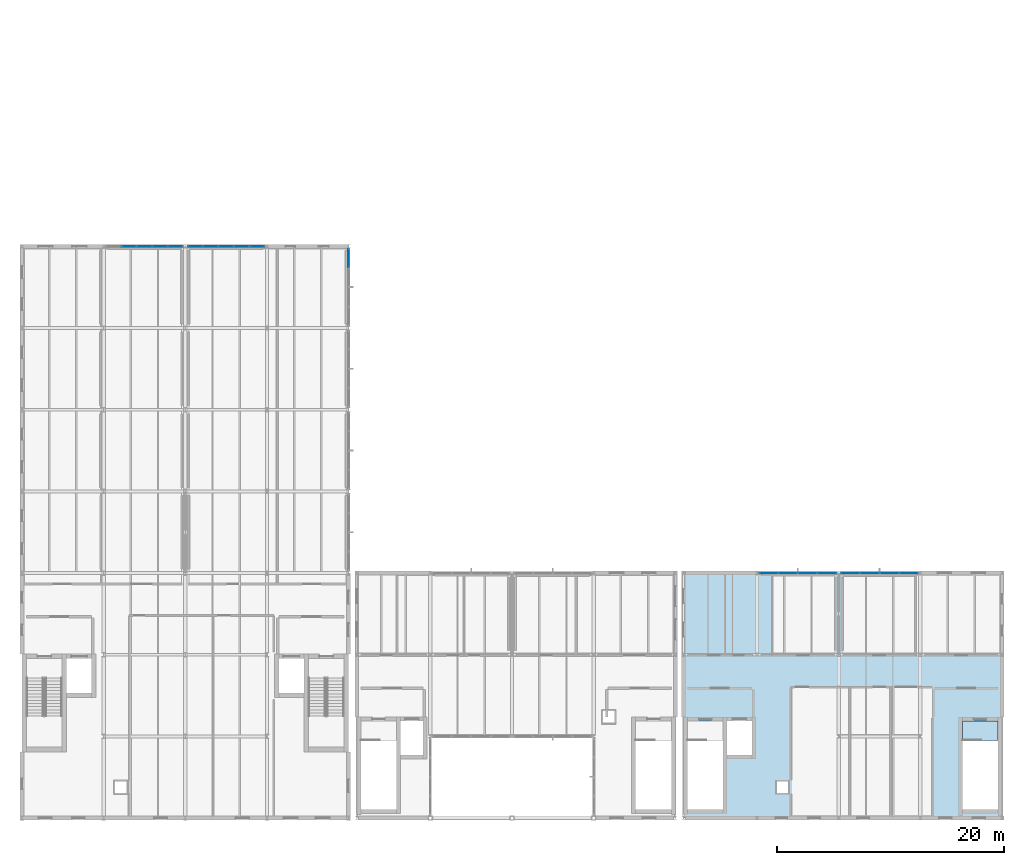
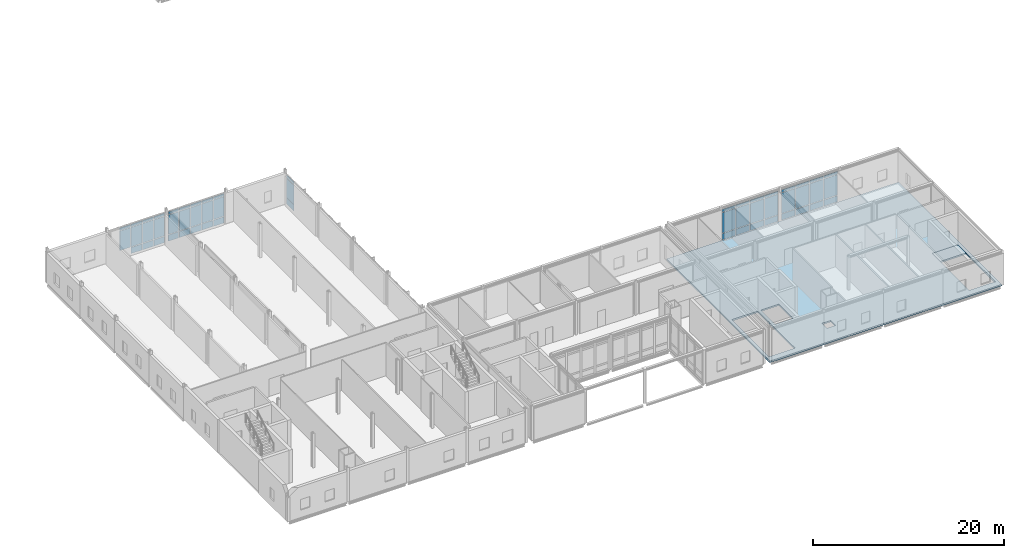
# One storey, part 23 of 43: 53 plates, 2 slabs, 5 elements without a shape of their own.
"""IFC4 building model written with IfcOpenShell, lengths in metres."""

from ifc_helpers import new_model, si_unit, direction, frame, origin, origin_2d, place, context, subcontext, project, spatial, polyline, rectangle, outline, extrude, material, layer, layer_set, type_object, element, aggregate, save


model = new_model("IFC4")

# Units and contexts
model_context = context("Model", 3, precision=1e-05, world=origin(), true_north=direction((0.0, 1.0)))
body_context = subcontext(model_context, "Body", "Model", "MODEL_VIEW")
ifc_project = project(units=[si_unit("LENGTHUNIT", "METRE"), si_unit("AREAUNIT", "SQUARE_METRE"), si_unit("VOLUMEUNIT", "CUBIC_METRE"), si_unit("PLANEANGLEUNIT", "RADIAN"), si_unit("MASSUNIT", "GRAM", prefix="KILO")], contexts=[model_context])

# Site, building, storey
site_placement = place(None, origin())
site = spatial("IfcSite", under=ifc_project, at=site_placement, CompositionType="ELEMENT")
building_placement = place(site_placement, origin())
building = spatial("IfcBuilding", under=site, at=building_placement, Name="Zarrinpeak Specialist Clinic", CompositionType="ELEMENT")
storey_placement = place(building_placement, frame((0.0, 0.0, 18.39990234375)))
storey = spatial("IfcBuildingStorey", under=building, at=storey_placement, Name="L04", CompositionType="ELEMENT", Elevation=18.39990234375)

# Curtain wall, plates
ifc_material_1 = material(Name="Anodised Aluminium Alloy 6063-T6", Category="aluminium")
ifc_layer_1 = layer(ifc_material_1, 0.1650390625)
ifc_layer_set_1 = layer_set([ifc_layer_1], Name="Anodised Aluminium Alloy 6063-T6")
curtain_wall_type_1 = type_object("IfcCurtainWallType", Name="CW-CLINIC", PredefinedType="NOTDEFINED", material=ifc_layer_set_1)
curtain_wall_1_placement = place(storey_placement, origin())
curtain_wall_1 = element("IfcCurtainWall", 1, at=curtain_wall_1_placement, inside=storey, type_object=curtain_wall_type_1, Name="L04 V1 Unitised Curtain Wall CW-L04-V1-025", PredefinedType="NOTDEFINED")
ifc_material_2 = material(Name="Double Low-E Insulated Glazing", Category="glass")
ifc_layer_2 = layer(ifc_material_2, 0.028076171875)
ifc_layer_set_2 = layer_set([ifc_layer_2], Name="Double Low-E Insulated Glazing")
plate_type_1 = type_object("IfcPlateType", Name="CWP-GLZ28", PredefinedType="CURTAIN_PANEL", material=ifc_layer_set_2)
plate_1_placement = place(storey_placement, frame((13.529296875, 50.39990234375, 0.074951171875), z_axis=(0.0, 0.0, 1.0), x_axis=(-1.0, 0.0, 0.0)))
plate_1 = element("IfcPlate", 2, at=plate_1_placement, type_object=plate_type_1, Name="CW-03 panel 1.1", PredefinedType="CURTAIN_PANEL", context=body_context, shape_type="SweptSolid", body=[
    extrude(rectangle(XDim=1.261474609375, YDim=0.028076171875, at=origin_2d()), origin(), (0.0, 0.0, 1.0), 0.78759765625),
])
plate_2_placement = place(storey_placement, frame((13.529296875, 50.39990234375, 0.9375), z_axis=(0.0, 0.0, 1.0), x_axis=(-1.0, 0.0, 0.0)))
plate_2 = element("IfcPlate", 3, at=plate_2_placement, type_object=plate_type_1, Name="CW-03 panel 1.2", PredefinedType="CURTAIN_PANEL", context=body_context, shape_type="SweptSolid", body=[
    extrude(rectangle(XDim=1.261474609375, YDim=0.028076171875, at=origin_2d()), origin(), (0.0, 0.0, 1.0), 2.489990234375),
])
plate_3_placement = place(storey_placement, frame((13.529296875, 50.39990234375, 3.502685546875), z_axis=(0.0, 0.0, 1.0), x_axis=(-1.0, 0.0, 0.0)))
plate_3 = element("IfcPlate", 4, at=plate_3_placement, type_object=plate_type_1, Name="CW-03 panel 1.3", PredefinedType="CURTAIN_PANEL", context=body_context, shape_type="SweptSolid", body=[
    extrude(rectangle(XDim=1.261474609375, YDim=0.028076171875, at=origin_2d()), origin(), (0.0, 0.0, 1.0), 0.33740234375),
])
plate_4_placement = place(storey_placement, frame((12.174072265625, 50.39990234375, 0.074951171875), z_axis=(0.0, 0.0, 1.0), x_axis=(-1.0, 0.0, 0.0)))
plate_4 = element("IfcPlate", 5, at=plate_4_placement, type_object=plate_type_1, Name="CW-03 panel 2.1", PredefinedType="CURTAIN_PANEL", context=body_context, shape_type="SweptSolid", body=[
    extrude(rectangle(XDim=1.299072265625, YDim=0.028076171875, at=origin_2d()), origin(), (0.0, 0.0, 1.0), 0.78759765625),
])
plate_5_placement = place(storey_placement, frame((12.174072265625, 50.39990234375, 0.9375), z_axis=(0.0, 0.0, 1.0), x_axis=(-1.0, 0.0, 0.0)))
plate_5 = element("IfcPlate", 6, at=plate_5_placement, type_object=plate_type_1, Name="CW-03 panel 2.2", PredefinedType="CURTAIN_PANEL", context=body_context, shape_type="SweptSolid", body=[
    extrude(rectangle(XDim=1.299072265625, YDim=0.028076171875, at=origin_2d()), origin(), (0.0, 0.0, 1.0), 2.489990234375),
])
plate_6_placement = place(storey_placement, frame((12.174072265625, 50.39990234375, 3.502685546875), z_axis=(0.0, 0.0, 1.0), x_axis=(-1.0, 0.0, 0.0)))
plate_6 = element("IfcPlate", 7, at=plate_6_placement, type_object=plate_type_1, Name="CW-03 panel 2.3", PredefinedType="CURTAIN_PANEL", context=body_context, shape_type="SweptSolid", body=[
    extrude(rectangle(XDim=1.299072265625, YDim=0.028076171875, at=origin_2d()), origin(), (0.0, 0.0, 1.0), 0.33740234375),
])
plate_7_placement = place(storey_placement, frame((10.800048828125, 50.39990234375, 0.074951171875), z_axis=(0.0, 0.0, 1.0), x_axis=(-1.0, 0.0, 0.0)))
plate_7 = element("IfcPlate", 8, at=plate_7_placement, type_object=plate_type_1, Name="CW-03 panel 3.1", PredefinedType="CURTAIN_PANEL", context=body_context, shape_type="SweptSolid", body=[
    extrude(rectangle(XDim=1.299072265625, YDim=0.028076171875, at=origin_2d()), origin(), (0.0, 0.0, 1.0), 0.78759765625),
])
plate_8_placement = place(storey_placement, frame((10.800048828125, 50.39990234375, 0.9375), z_axis=(0.0, 0.0, 1.0), x_axis=(-1.0, 0.0, 0.0)))
plate_8 = element("IfcPlate", 9, at=plate_8_placement, type_object=plate_type_1, Name="CW-03 panel 3.2", PredefinedType="CURTAIN_PANEL", context=body_context, shape_type="SweptSolid", body=[
    extrude(rectangle(XDim=1.299072265625, YDim=0.028076171875, at=origin_2d()), origin(), (0.0, 0.0, 1.0), 2.489990234375),
])
plate_9_placement = place(storey_placement, frame((10.800048828125, 50.39990234375, 3.502685546875), z_axis=(0.0, 0.0, 1.0), x_axis=(-1.0, 0.0, 0.0)))
plate_9 = element("IfcPlate", 10, at=plate_9_placement, type_object=plate_type_1, Name="CW-03 panel 3.3", PredefinedType="CURTAIN_PANEL", context=body_context, shape_type="SweptSolid", body=[
    extrude(rectangle(XDim=1.299072265625, YDim=0.028076171875, at=origin_2d()), origin(), (0.0, 0.0, 1.0), 0.33740234375),
])
plate_10_placement = place(storey_placement, frame((9.426025390625, 50.39990234375, 0.9375), z_axis=(0.0, 0.0, 1.0), x_axis=(-1.0, 0.0, 0.0)))
plate_10 = element("IfcPlate", 11, at=plate_10_placement, type_object=plate_type_1, Name="CW-03 panel 4.2", PredefinedType="CURTAIN_PANEL", context=body_context, shape_type="SweptSolid", body=[
    extrude(rectangle(XDim=1.299072265625, YDim=0.028076171875, at=origin_2d()), origin(), (0.0, 0.0, 1.0), 2.489990234375),
])
plate_11_placement = place(storey_placement, frame((9.426025390625, 50.39990234375, 3.502685546875), z_axis=(0.0, 0.0, 1.0), x_axis=(-1.0, 0.0, 0.0)))
plate_11 = element("IfcPlate", 12, at=plate_11_placement, type_object=plate_type_1, Name="CW-03 panel 4.3", PredefinedType="CURTAIN_PANEL", context=body_context, shape_type="SweptSolid", body=[
    extrude(rectangle(XDim=1.299072265625, YDim=0.028076171875, at=origin_2d()), origin(), (0.0, 0.0, 1.0), 0.33740234375),
])
aggregate(curtain_wall_1, [plate_1, plate_2, plate_3, plate_4, plate_5, plate_6, plate_7, plate_8, plate_9, plate_10, plate_11])

curtain_wall_2_placement = place(storey_placement, origin())
curtain_wall_2 = element("IfcCurtainWall", 13, at=curtain_wall_2_placement, inside=storey, type_object=curtain_wall_type_1, Name="L04 V1 Unitised Curtain Wall CW-L04-V1-026", PredefinedType="NOTDEFINED")
plate_12_placement = place(storey_placement, frame((20.729248046875, 50.39990234375, 0.074951171875), z_axis=(0.0, 0.0, 1.0), x_axis=(-1.0, 0.0, 0.0)))
plate_12 = element("IfcPlate", 14, at=plate_12_placement, type_object=plate_type_1, Name="CW-03 panel 1.1", PredefinedType="CURTAIN_PANEL", context=body_context, shape_type="SweptSolid", body=[
    extrude(rectangle(XDim=1.261474609375, YDim=0.028076171875, at=origin_2d()), origin(), (0.0, 0.0, 1.0), 0.78759765625),
])
plate_13_placement = place(storey_placement, frame((20.729248046875, 50.39990234375, 0.9375), z_axis=(0.0, 0.0, 1.0), x_axis=(-1.0, 0.0, 0.0)))
plate_13 = element("IfcPlate", 15, at=plate_13_placement, type_object=plate_type_1, Name="CW-03 panel 1.2", PredefinedType="CURTAIN_PANEL", context=body_context, shape_type="SweptSolid", body=[
    extrude(rectangle(XDim=1.261474609375, YDim=0.028076171875, at=origin_2d()), origin(), (0.0, 0.0, 1.0), 2.489990234375),
])
plate_14_placement = place(storey_placement, frame((20.729248046875, 50.39990234375, 3.502685546875), z_axis=(0.0, 0.0, 1.0), x_axis=(-1.0, 0.0, 0.0)))
plate_14 = element("IfcPlate", 16, at=plate_14_placement, type_object=plate_type_1, Name="CW-03 panel 1.3", PredefinedType="CURTAIN_PANEL", context=body_context, shape_type="SweptSolid", body=[
    extrude(rectangle(XDim=1.261474609375, YDim=0.028076171875, at=origin_2d()), origin(), (0.0, 0.0, 1.0), 0.33740234375),
])
plate_15_placement = place(storey_placement, frame((19.3740234375, 50.39990234375, 0.074951171875), z_axis=(0.0, 0.0, 1.0), x_axis=(-1.0, 0.0, 0.0)))
plate_15 = element("IfcPlate", 17, at=plate_15_placement, type_object=plate_type_1, Name="CW-03 panel 2.1", PredefinedType="CURTAIN_PANEL", context=body_context, shape_type="SweptSolid", body=[
    extrude(rectangle(XDim=1.299072265625, YDim=0.028076171875, at=origin_2d()), origin(), (0.0, 0.0, 1.0), 0.78759765625),
])
plate_16_placement = place(storey_placement, frame((19.3740234375, 50.39990234375, 0.9375), z_axis=(0.0, 0.0, 1.0), x_axis=(-1.0, 0.0, 0.0)))
plate_16 = element("IfcPlate", 18, at=plate_16_placement, type_object=plate_type_1, Name="CW-03 panel 2.2", PredefinedType="CURTAIN_PANEL", context=body_context, shape_type="SweptSolid", body=[
    extrude(rectangle(XDim=1.299072265625, YDim=0.028076171875, at=origin_2d()), origin(), (0.0, 0.0, 1.0), 2.489990234375),
])
plate_17_placement = place(storey_placement, frame((19.3740234375, 50.39990234375, 3.502685546875), z_axis=(0.0, 0.0, 1.0), x_axis=(-1.0, 0.0, 0.0)))
plate_17 = element("IfcPlate", 19, at=plate_17_placement, type_object=plate_type_1, Name="CW-03 panel 2.3", PredefinedType="CURTAIN_PANEL", context=body_context, shape_type="SweptSolid", body=[
    extrude(rectangle(XDim=1.299072265625, YDim=0.028076171875, at=origin_2d()), origin(), (0.0, 0.0, 1.0), 0.33740234375),
])
plate_18_placement = place(storey_placement, frame((18.0, 50.39990234375, 0.074951171875), z_axis=(0.0, 0.0, 1.0), x_axis=(-1.0, 0.0, 0.0)))
plate_18 = element("IfcPlate", 20, at=plate_18_placement, type_object=plate_type_1, Name="CW-03 panel 3.1", PredefinedType="CURTAIN_PANEL", context=body_context, shape_type="SweptSolid", body=[
    extrude(rectangle(XDim=1.299072265625, YDim=0.028076171875, at=origin_2d()), origin(), (0.0, 0.0, 1.0), 0.78759765625),
])
plate_19_placement = place(storey_placement, frame((18.0, 50.39990234375, 0.9375), z_axis=(0.0, 0.0, 1.0), x_axis=(-1.0, 0.0, 0.0)))
plate_19 = element("IfcPlate", 21, at=plate_19_placement, type_object=plate_type_1, Name="CW-03 panel 3.2", PredefinedType="CURTAIN_PANEL", context=body_context, shape_type="SweptSolid", body=[
    extrude(rectangle(XDim=1.299072265625, YDim=0.028076171875, at=origin_2d()), origin(), (0.0, 0.0, 1.0), 2.489990234375),
])
plate_20_placement = place(storey_placement, frame((18.0, 50.39990234375, 3.502685546875), z_axis=(0.0, 0.0, 1.0), x_axis=(-1.0, 0.0, 0.0)))
plate_20 = element("IfcPlate", 22, at=plate_20_placement, type_object=plate_type_1, Name="CW-03 panel 3.3", PredefinedType="CURTAIN_PANEL", context=body_context, shape_type="SweptSolid", body=[
    extrude(rectangle(XDim=1.299072265625, YDim=0.028076171875, at=origin_2d()), origin(), (0.0, 0.0, 1.0), 0.33740234375),
])
plate_21_placement = place(storey_placement, frame((16.6259765625, 50.39990234375, 0.074951171875), z_axis=(0.0, 0.0, 1.0), x_axis=(-1.0, 0.0, 0.0)))
plate_21 = element("IfcPlate", 23, at=plate_21_placement, type_object=plate_type_1, Name="CW-03 panel 4.1", PredefinedType="CURTAIN_PANEL", context=body_context, shape_type="SweptSolid", body=[
    extrude(rectangle(XDim=1.299072265625, YDim=0.028076171875, at=origin_2d()), origin(), (0.0, 0.0, 1.0), 0.78759765625),
])
plate_22_placement = place(storey_placement, frame((16.6259765625, 50.39990234375, 0.9375), z_axis=(0.0, 0.0, 1.0), x_axis=(-1.0, 0.0, 0.0)))
plate_22 = element("IfcPlate", 24, at=plate_22_placement, type_object=plate_type_1, Name="CW-03 panel 4.2", PredefinedType="CURTAIN_PANEL", context=body_context, shape_type="SweptSolid", body=[
    extrude(rectangle(XDim=1.299072265625, YDim=0.028076171875, at=origin_2d()), origin(), (0.0, 0.0, 1.0), 2.489990234375),
])
plate_23_placement = place(storey_placement, frame((16.6259765625, 50.39990234375, 3.502685546875), z_axis=(0.0, 0.0, 1.0), x_axis=(-1.0, 0.0, 0.0)))
plate_23 = element("IfcPlate", 25, at=plate_23_placement, type_object=plate_type_1, Name="CW-03 panel 4.3", PredefinedType="CURTAIN_PANEL", context=body_context, shape_type="SweptSolid", body=[
    extrude(rectangle(XDim=1.299072265625, YDim=0.028076171875, at=origin_2d()), origin(), (0.0, 0.0, 1.0), 0.33740234375),
])
plate_24_placement = place(storey_placement, frame((15.270751953125, 50.39990234375, 0.074951171875), z_axis=(0.0, 0.0, 1.0), x_axis=(-1.0, 0.0, 0.0)))
plate_24 = element("IfcPlate", 26, at=plate_24_placement, type_object=plate_type_1, Name="CW-03 panel 5.1", PredefinedType="CURTAIN_PANEL", context=body_context, shape_type="SweptSolid", body=[
    extrude(rectangle(XDim=1.261474609375, YDim=0.028076171875, at=origin_2d()), origin(), (0.0, 0.0, 1.0), 0.78759765625),
])
plate_25_placement = place(storey_placement, frame((15.270751953125, 50.39990234375, 0.9375), z_axis=(0.0, 0.0, 1.0), x_axis=(-1.0, 0.0, 0.0)))
plate_25 = element("IfcPlate", 27, at=plate_25_placement, type_object=plate_type_1, Name="CW-03 panel 5.2", PredefinedType="CURTAIN_PANEL", context=body_context, shape_type="SweptSolid", body=[
    extrude(rectangle(XDim=1.261474609375, YDim=0.028076171875, at=origin_2d()), origin(), (0.0, 0.0, 1.0), 2.489990234375),
])
plate_26_placement = place(storey_placement, frame((15.270751953125, 50.39990234375, 3.502685546875), z_axis=(0.0, 0.0, 1.0), x_axis=(-1.0, 0.0, 0.0)))
plate_26 = element("IfcPlate", 28, at=plate_26_placement, type_object=plate_type_1, Name="CW-03 panel 5.3", PredefinedType="CURTAIN_PANEL", context=body_context, shape_type="SweptSolid", body=[
    extrude(rectangle(XDim=1.261474609375, YDim=0.028076171875, at=origin_2d()), origin(), (0.0, 0.0, 1.0), 0.33740234375),
])
aggregate(curtain_wall_2, [plate_12, plate_13, plate_14, plate_15, plate_16, plate_17, plate_18, plate_19, plate_20, plate_21, plate_22, plate_23, plate_24, plate_25, plate_26])

ifc_layer_3 = layer(ifc_material_1, 0.179931640625)
ifc_layer_set_3 = layer_set([ifc_layer_3], Name="Anodised Aluminium Alloy 6063-T6")
curtain_wall_type_2 = type_object("IfcCurtainWallType", Name="CW-COURT", PredefinedType="NOTDEFINED", material=ifc_layer_set_3)
curtain_wall_3_placement = place(storey_placement, origin())
curtain_wall_3 = element("IfcCurtainWall", 29, at=curtain_wall_3_placement, inside=storey, type_object=curtain_wall_type_2, Name="L04 V1 Unitised Curtain Wall CW-L04-V1-030", PredefinedType="NOTDEFINED")
plate_27_placement = place(storey_placement, frame((28.800048828125, 49.360107421875, 0.074951171875), z_axis=(0.0, 0.0, 1.0), x_axis=(0.0, 1.0, 0.0)))
plate_27 = element("IfcPlate", 30, at=plate_27_placement, type_object=plate_type_1, Name="CW-01 panel 4.1", PredefinedType="CURTAIN_PANEL", context=body_context, shape_type="SweptSolid", body=[
    extrude(rectangle(XDim=1.60009765625, YDim=0.028076171875, at=origin_2d()), origin(), (0.0, 0.0, 1.0), 0.78759765625),
])
plate_28_placement = place(storey_placement, frame((28.800048828125, 49.360107421875, 0.937744140625), z_axis=(0.0, 0.0, 1.0), x_axis=(0.0, 1.0, 0.0)))
plate_28 = element("IfcPlate", 31, at=plate_28_placement, type_object=plate_type_1, Name="CW-01 panel 4.2", PredefinedType="CURTAIN_PANEL", context=body_context, shape_type="SweptSolid", body=[
    extrude(rectangle(XDim=1.60009765625, YDim=0.028076171875, at=origin_2d()), origin(), (0.0, 0.0, 1.0), 2.43994140625),
])
plate_29_placement = place(storey_placement, frame((28.800048828125, 49.360107421875, 3.45263671875), z_axis=(0.0, 0.0, 1.0), x_axis=(0.0, 1.0, 0.0)))
plate_29 = element("IfcPlate", 32, at=plate_29_placement, type_object=plate_type_1, Name="CW-01 panel 4.3", PredefinedType="CURTAIN_PANEL", context=body_context, shape_type="SweptSolid", body=[
    extrude(rectangle(XDim=1.60009765625, YDim=0.028076171875, at=origin_2d()), origin(), (0.0, 0.0, 1.0), 0.33740234375),
])
aggregate(curtain_wall_3, [plate_27, plate_28, plate_29])

curtain_wall_4_placement = place(storey_placement, origin())
curtain_wall_4 = element("IfcCurtainWall", 33, at=curtain_wall_4_placement, inside=storey, type_object=curtain_wall_type_2, Name="L04 V4 Unitised Curtain Wall CW-L04-V4-077", PredefinedType="NOTDEFINED")
ifc_material_3 = material(Name="Triple Acoustic Low-E Glazing", Category="glass")
ifc_layer_4 = layer(ifc_material_3, 0.035888671875)
ifc_layer_set_4 = layer_set([ifc_layer_4], Name="Triple Acoustic Low-E Glazing")
plate_type_2 = type_object("IfcPlateType", Name="CWP-GLZ36", PredefinedType="CURTAIN_PANEL", material=ifc_layer_set_4)
plate_30_placement = place(storey_placement, frame((70.972412109375, 21.60009765625, 0.074951171875), z_axis=(0.0, 0.0, 1.0), x_axis=(-1.0, 0.0, 0.0)))
plate_30 = element("IfcPlate", 34, at=plate_30_placement, type_object=plate_type_2, Name="CW-01 panel 1.1", PredefinedType="CURTAIN_PANEL", context=body_context, shape_type="SweptSolid", body=[
    extrude(rectangle(XDim=1.614990234375, YDim=0.035888671875, at=origin_2d()), origin(), (0.0, 0.0, 1.0), 0.78759765625),
])
plate_31_placement = place(storey_placement, frame((70.972412109375, 21.60009765625, 0.9375), z_axis=(0.0, 0.0, 1.0), x_axis=(-1.0, 0.0, 0.0)))
plate_31 = element("IfcPlate", 35, at=plate_31_placement, type_object=plate_type_2, Name="CW-01 panel 1.2", PredefinedType="CURTAIN_PANEL", context=body_context, shape_type="SweptSolid", body=[
    extrude(rectangle(XDim=1.614990234375, YDim=0.035888671875, at=origin_2d()), origin(), (0.0, 0.0, 1.0), 2.610107421875),
])
plate_32_placement = place(storey_placement, frame((70.972412109375, 21.60009765625, 3.62255859375), z_axis=(0.0, 0.0, 1.0), x_axis=(-1.0, 0.0, 0.0)))
plate_32 = element("IfcPlate", 36, at=plate_32_placement, type_object=plate_type_2, Name="CW-01 panel 1.3", PredefinedType="CURTAIN_PANEL", context=body_context, shape_type="SweptSolid", body=[
    extrude(rectangle(XDim=1.614990234375, YDim=0.035888671875, at=origin_2d()), origin(), (0.0, 0.0, 1.0), 0.33740234375),
])
plate_33_placement = place(storey_placement, frame((69.263671875, 21.60009765625, 0.074951171875), z_axis=(0.0, 0.0, 1.0), x_axis=(-1.0, 0.0, 0.0)))
plate_33 = element("IfcPlate", 37, at=plate_33_placement, type_object=plate_type_2, Name="CW-01 panel 2.1", PredefinedType="CURTAIN_PANEL", context=body_context, shape_type="SweptSolid", body=[
    extrude(rectangle(XDim=1.652587890625, YDim=0.035888671875, at=origin_2d()), origin(), (0.0, 0.0, 1.0), 0.78759765625),
])
plate_34_placement = place(storey_placement, frame((69.263671875, 21.60009765625, 0.9375), z_axis=(0.0, 0.0, 1.0), x_axis=(-1.0, 0.0, 0.0)))
plate_34 = element("IfcPlate", 38, at=plate_34_placement, type_object=plate_type_2, Name="CW-01 panel 2.2", PredefinedType="CURTAIN_PANEL", context=body_context, shape_type="SweptSolid", body=[
    extrude(rectangle(XDim=1.652587890625, YDim=0.035888671875, at=origin_2d()), origin(), (0.0, 0.0, 1.0), 2.610107421875),
])
plate_35_placement = place(storey_placement, frame((69.263671875, 21.60009765625, 3.62255859375), z_axis=(0.0, 0.0, 1.0), x_axis=(-1.0, 0.0, 0.0)))
plate_35 = element("IfcPlate", 39, at=plate_35_placement, type_object=plate_type_2, Name="CW-01 panel 2.3", PredefinedType="CURTAIN_PANEL", context=body_context, shape_type="SweptSolid", body=[
    extrude(rectangle(XDim=1.652587890625, YDim=0.035888671875, at=origin_2d()), origin(), (0.0, 0.0, 1.0), 0.33740234375),
])
plate_36_placement = place(storey_placement, frame((67.5361328125, 21.60009765625, 0.074951171875), z_axis=(0.0, 0.0, 1.0), x_axis=(-1.0, 0.0, 0.0)))
plate_36 = element("IfcPlate", 40, at=plate_36_placement, type_object=plate_type_2, Name="CW-01 panel 3.1", PredefinedType="CURTAIN_PANEL", context=body_context, shape_type="SweptSolid", body=[
    extrude(rectangle(XDim=1.652587890625, YDim=0.035888671875, at=origin_2d()), origin(), (0.0, 0.0, 1.0), 0.78759765625),
])
plate_37_placement = place(storey_placement, frame((67.5361328125, 21.60009765625, 0.9375), z_axis=(0.0, 0.0, 1.0), x_axis=(-1.0, 0.0, 0.0)))
plate_37 = element("IfcPlate", 41, at=plate_37_placement, type_object=plate_type_2, Name="CW-01 panel 3.2", PredefinedType="CURTAIN_PANEL", context=body_context, shape_type="SweptSolid", body=[
    extrude(rectangle(XDim=1.652587890625, YDim=0.035888671875, at=origin_2d()), origin(), (0.0, 0.0, 1.0), 2.610107421875),
])
plate_38_placement = place(storey_placement, frame((67.5361328125, 21.60009765625, 3.62255859375), z_axis=(0.0, 0.0, 1.0), x_axis=(-1.0, 0.0, 0.0)))
plate_38 = element("IfcPlate", 42, at=plate_38_placement, type_object=plate_type_2, Name="CW-01 panel 3.3", PredefinedType="CURTAIN_PANEL", context=body_context, shape_type="SweptSolid", body=[
    extrude(rectangle(XDim=1.652587890625, YDim=0.035888671875, at=origin_2d()), origin(), (0.0, 0.0, 1.0), 0.33740234375),
])
plate_39_placement = place(storey_placement, frame((65.827392578125, 21.60009765625, 0.074951171875), z_axis=(0.0, 0.0, 1.0), x_axis=(-1.0, 0.0, 0.0)))
plate_39 = element("IfcPlate", 43, at=plate_39_placement, type_object=plate_type_2, Name="CW-01 panel 4.1", PredefinedType="CURTAIN_PANEL", context=body_context, shape_type="SweptSolid", body=[
    extrude(rectangle(XDim=1.614990234375, YDim=0.035888671875, at=origin_2d()), origin(), (0.0, 0.0, 1.0), 0.78759765625),
])
plate_40_placement = place(storey_placement, frame((65.827392578125, 21.60009765625, 0.9375), z_axis=(0.0, 0.0, 1.0), x_axis=(-1.0, 0.0, 0.0)))
plate_40 = element("IfcPlate", 44, at=plate_40_placement, type_object=plate_type_2, Name="CW-01 panel 4.2", PredefinedType="CURTAIN_PANEL", context=body_context, shape_type="SweptSolid", body=[
    extrude(rectangle(XDim=1.614990234375, YDim=0.035888671875, at=origin_2d()), origin(), (0.0, 0.0, 1.0), 2.610107421875),
])
plate_41_placement = place(storey_placement, frame((65.827392578125, 21.60009765625, 3.62255859375), z_axis=(0.0, 0.0, 1.0), x_axis=(-1.0, 0.0, 0.0)))
plate_41 = element("IfcPlate", 45, at=plate_41_placement, type_object=plate_type_2, Name="CW-01 panel 4.3", PredefinedType="CURTAIN_PANEL", context=body_context, shape_type="SweptSolid", body=[
    extrude(rectangle(XDim=1.614990234375, YDim=0.035888671875, at=origin_2d()), origin(), (0.0, 0.0, 1.0), 0.33740234375),
])
aggregate(curtain_wall_4, [plate_30, plate_31, plate_32, plate_33, plate_34, plate_35, plate_36, plate_37, plate_38, plate_39, plate_40, plate_41])

curtain_wall_5_placement = place(storey_placement, origin())
curtain_wall_5 = element("IfcCurtainWall", 46, at=curtain_wall_5_placement, inside=storey, type_object=curtain_wall_type_2, Name="L04 V4 Unitised Curtain Wall CW-L04-V4-078", PredefinedType="NOTDEFINED")
plate_42_placement = place(storey_placement, frame((78.172607421875, 21.60009765625, 0.074951171875), z_axis=(0.0, 0.0, 1.0), x_axis=(-1.0, 0.0, 0.0)))
plate_42 = element("IfcPlate", 47, at=plate_42_placement, type_object=plate_type_2, Name="CW-01 panel 1.1", PredefinedType="CURTAIN_PANEL", context=body_context, shape_type="SweptSolid", body=[
    extrude(rectangle(XDim=1.614990234375, YDim=0.035888671875, at=origin_2d()), origin(), (0.0, 0.0, 1.0), 0.78759765625),
])
plate_43_placement = place(storey_placement, frame((78.172607421875, 21.60009765625, 0.9375), z_axis=(0.0, 0.0, 1.0), x_axis=(-1.0, 0.0, 0.0)))
plate_43 = element("IfcPlate", 48, at=plate_43_placement, type_object=plate_type_2, Name="CW-01 panel 1.2", PredefinedType="CURTAIN_PANEL", context=body_context, shape_type="SweptSolid", body=[
    extrude(rectangle(XDim=1.614990234375, YDim=0.035888671875, at=origin_2d()), origin(), (0.0, 0.0, 1.0), 2.610107421875),
])
plate_44_placement = place(storey_placement, frame((78.172607421875, 21.60009765625, 3.62255859375), z_axis=(0.0, 0.0, 1.0), x_axis=(-1.0, 0.0, 0.0)))
plate_44 = element("IfcPlate", 49, at=plate_44_placement, type_object=plate_type_2, Name="CW-01 panel 1.3", PredefinedType="CURTAIN_PANEL", context=body_context, shape_type="SweptSolid", body=[
    extrude(rectangle(XDim=1.614990234375, YDim=0.035888671875, at=origin_2d()), origin(), (0.0, 0.0, 1.0), 0.33740234375),
])
plate_45_placement = place(storey_placement, frame((76.4638671875, 21.60009765625, 0.074951171875), z_axis=(0.0, 0.0, 1.0), x_axis=(-1.0, 0.0, 0.0)))
plate_45 = element("IfcPlate", 50, at=plate_45_placement, type_object=plate_type_2, Name="CW-01 panel 2.1", PredefinedType="CURTAIN_PANEL", context=body_context, shape_type="SweptSolid", body=[
    extrude(rectangle(XDim=1.652587890625, YDim=0.035888671875, at=origin_2d()), origin(), (0.0, 0.0, 1.0), 0.78759765625),
])
plate_46_placement = place(storey_placement, frame((76.4638671875, 21.60009765625, 0.9375), z_axis=(0.0, 0.0, 1.0), x_axis=(-1.0, 0.0, 0.0)))
plate_46 = element("IfcPlate", 51, at=plate_46_placement, type_object=plate_type_2, Name="CW-01 panel 2.2", PredefinedType="CURTAIN_PANEL", context=body_context, shape_type="SweptSolid", body=[
    extrude(rectangle(XDim=1.652587890625, YDim=0.035888671875, at=origin_2d()), origin(), (0.0, 0.0, 1.0), 2.610107421875),
])
plate_47_placement = place(storey_placement, frame((76.4638671875, 21.60009765625, 3.62255859375), z_axis=(0.0, 0.0, 1.0), x_axis=(-1.0, 0.0, 0.0)))
plate_47 = element("IfcPlate", 52, at=plate_47_placement, type_object=plate_type_2, Name="CW-01 panel 2.3", PredefinedType="CURTAIN_PANEL", context=body_context, shape_type="SweptSolid", body=[
    extrude(rectangle(XDim=1.652587890625, YDim=0.035888671875, at=origin_2d()), origin(), (0.0, 0.0, 1.0), 0.33740234375),
])
plate_48_placement = place(storey_placement, frame((74.736328125, 21.60009765625, 0.074951171875), z_axis=(0.0, 0.0, 1.0), x_axis=(-1.0, 0.0, 0.0)))
plate_48 = element("IfcPlate", 53, at=plate_48_placement, type_object=plate_type_2, Name="CW-01 panel 3.1", PredefinedType="CURTAIN_PANEL", context=body_context, shape_type="SweptSolid", body=[
    extrude(rectangle(XDim=1.652587890625, YDim=0.035888671875, at=origin_2d()), origin(), (0.0, 0.0, 1.0), 0.78759765625),
])
plate_49_placement = place(storey_placement, frame((74.736328125, 21.60009765625, 0.9375), z_axis=(0.0, 0.0, 1.0), x_axis=(-1.0, 0.0, 0.0)))
plate_49 = element("IfcPlate", 54, at=plate_49_placement, type_object=plate_type_2, Name="CW-01 panel 3.2", PredefinedType="CURTAIN_PANEL", context=body_context, shape_type="SweptSolid", body=[
    extrude(rectangle(XDim=1.652587890625, YDim=0.035888671875, at=origin_2d()), origin(), (0.0, 0.0, 1.0), 2.610107421875),
])
plate_50_placement = place(storey_placement, frame((74.736328125, 21.60009765625, 3.62255859375), z_axis=(0.0, 0.0, 1.0), x_axis=(-1.0, 0.0, 0.0)))
plate_50 = element("IfcPlate", 55, at=plate_50_placement, type_object=plate_type_2, Name="CW-01 panel 3.3", PredefinedType="CURTAIN_PANEL", context=body_context, shape_type="SweptSolid", body=[
    extrude(rectangle(XDim=1.652587890625, YDim=0.035888671875, at=origin_2d()), origin(), (0.0, 0.0, 1.0), 0.33740234375),
])
plate_51_placement = place(storey_placement, frame((73.027587890625, 21.60009765625, 0.074951171875), z_axis=(0.0, 0.0, 1.0), x_axis=(-1.0, 0.0, 0.0)))
plate_51 = element("IfcPlate", 56, at=plate_51_placement, type_object=plate_type_2, Name="CW-01 panel 4.1", PredefinedType="CURTAIN_PANEL", context=body_context, shape_type="SweptSolid", body=[
    extrude(rectangle(XDim=1.614990234375, YDim=0.035888671875, at=origin_2d()), origin(), (0.0, 0.0, 1.0), 0.78759765625),
])
plate_52_placement = place(storey_placement, frame((73.027587890625, 21.60009765625, 0.9375), z_axis=(0.0, 0.0, 1.0), x_axis=(-1.0, 0.0, 0.0)))
plate_52 = element("IfcPlate", 57, at=plate_52_placement, type_object=plate_type_2, Name="CW-01 panel 4.2", PredefinedType="CURTAIN_PANEL", context=body_context, shape_type="SweptSolid", body=[
    extrude(rectangle(XDim=1.614990234375, YDim=0.035888671875, at=origin_2d()), origin(), (0.0, 0.0, 1.0), 2.610107421875),
])
plate_53_placement = place(storey_placement, frame((73.027587890625, 21.60009765625, 3.62255859375), z_axis=(0.0, 0.0, 1.0), x_axis=(-1.0, 0.0, 0.0)))
plate_53 = element("IfcPlate", 58, at=plate_53_placement, type_object=plate_type_2, Name="CW-01 panel 4.3", PredefinedType="CURTAIN_PANEL", context=body_context, shape_type="SweptSolid", body=[
    extrude(rectangle(XDim=1.614990234375, YDim=0.035888671875, at=origin_2d()), origin(), (0.0, 0.0, 1.0), 0.33740234375),
])
aggregate(curtain_wall_5, [plate_42, plate_43, plate_44, plate_45, plate_46, plate_47, plate_48, plate_49, plate_50, plate_51, plate_52, plate_53])

# Slabs
ifc_material_4 = material(Name="Concrete C35/45", Category="concrete")
ifc_layer_5 = layer(ifc_material_4, 0.199951171875)
ifc_layer_set_5 = layer_set([ifc_layer_5], Name="Concrete C35/45")
slab_type = type_object("IfcSlabType", Name="SL-FLR200", PredefinedType="FLOOR", material=ifc_layer_set_5)
slab_1_placement = place(storey_placement, frame((0.0, 0.0, -0.199951171875)))
element("IfcSlab", 59, at=slab_1_placement, inside=storey, type_object=slab_type, Name="L04 Suspended Clinical Floor Slab V4", PredefinedType="FLOOR", context=body_context, shape_type="SweptSolid", body=[
    extrude(outline(polyline([(58.320068359375, 0.0), (86.39990234375, 0.0), (86.39990234375, 21.60009765625), (58.320068359375, 21.60009765625), (58.320068359375, 0.0)]), holes=[polyline([(58.669921875, 0.75), (61.820068359375, 0.75), (61.820068359375, 8.550048828125), (58.669921875, 8.550048828125), (58.669921875, 0.75)]), polyline([(62.169921875, 5.550048828125), (64.3701171875, 5.550048828125), (64.3701171875, 8.550048828125), (62.169921875, 8.550048828125), (62.169921875, 5.550048828125)]), polyline([(82.89990234375, 0.75), (86.050048828125, 0.75), (86.050048828125, 8.550048828125), (82.89990234375, 8.550048828125), (82.89990234375, 0.75)]), polyline([(66.52001953125, 2.199951171875), (67.570068359375, 2.199951171875), (67.570068359375, 3.25), (66.52001953125, 3.25), (66.52001953125, 2.199951171875)])]), origin(), (0.0, 0.0, 1.0), 0.199951171875),
])
slab_2_placement = place(storey_placement, frame((0.0, 0.0, -0.199951171875)))
element("IfcSlab", 60, at=slab_2_placement, inside=storey, type_object=slab_type, Name="L04 Core C08 Stairwell Floor Landing Slab", PredefinedType="FLOOR", context=body_context, shape_type="SweptSolid", body=[
    extrude(outline(polyline([(82.89990234375, 6.85009765625), (86.050048828125, 6.85009765625), (86.050048828125, 8.550048828125), (82.89990234375, 8.550048828125), (82.89990234375, 6.85009765625)])), origin(), (0.0, 0.0, 1.0), 0.199951171875),
])

save(model, "model.ifc")
